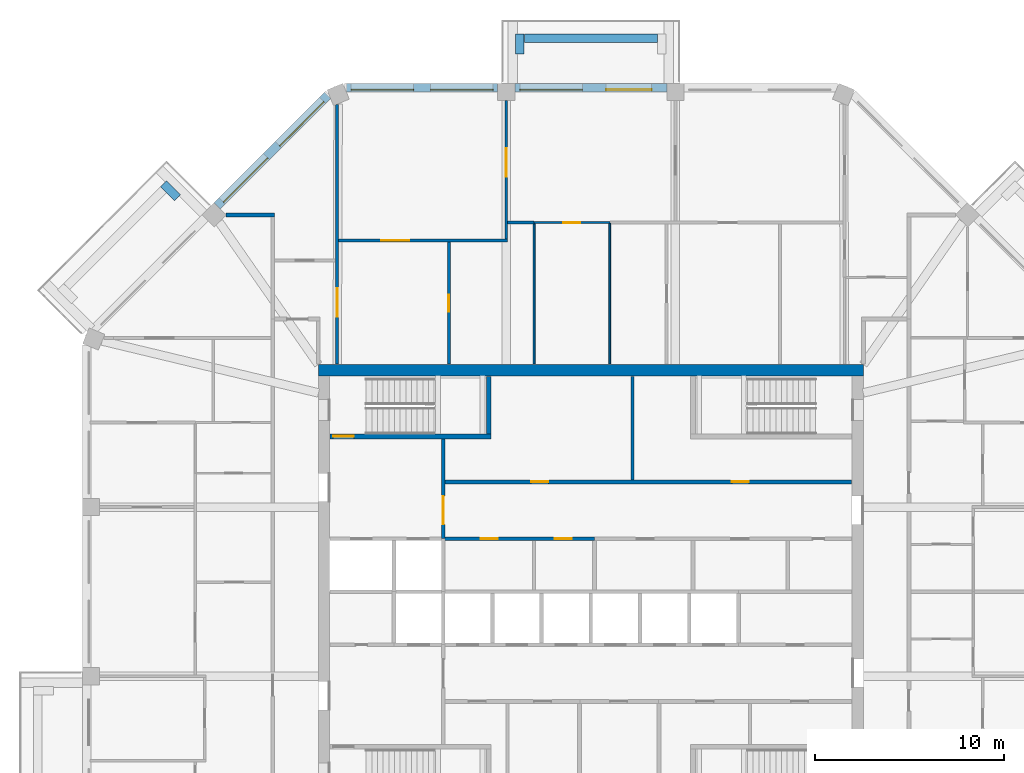
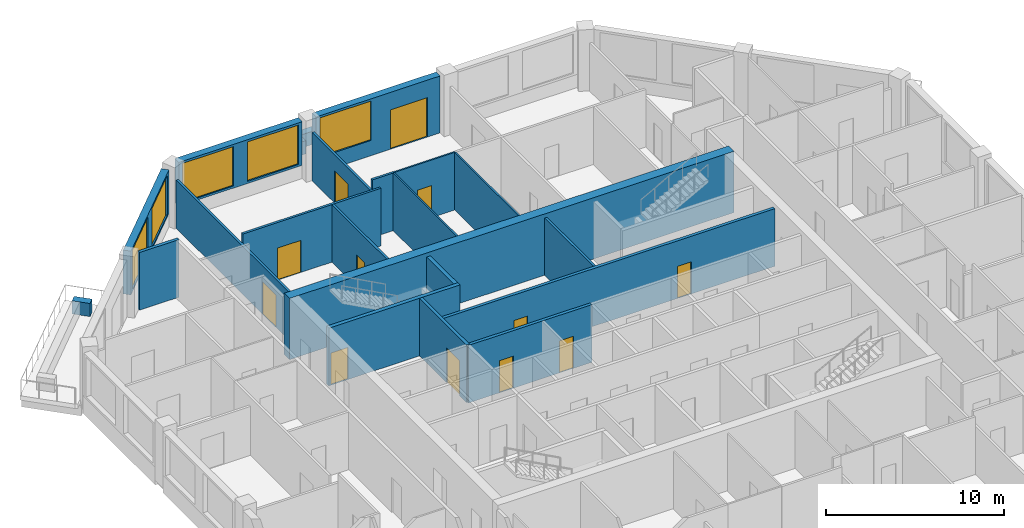
# One storey, part 8 of 11: 22 walls, 12 doors, 5 windows, 17 openings.
"""IFC4 building model written with IfcOpenShell, lengths in metres."""

from ifc_helpers import new_model, si_unit, direction, frame, frame_2d, origin, place, context, subcontext, project, spatial, rectangle, extrude, material, layer, layer_set, type_object, element, fill, save


model = new_model("IFC4")

# Units and contexts
model_context = context("Model", 3, precision=1e-05, world=origin(), true_north=direction((0.0, 1.0)))
body_context = subcontext(model_context, "Body", "Model", "MODEL_VIEW")
ifc_project = project(units=[si_unit("LENGTHUNIT", "METRE"), si_unit("AREAUNIT", "SQUARE_METRE"), si_unit("VOLUMEUNIT", "CUBIC_METRE"), si_unit("PLANEANGLEUNIT", "RADIAN"), si_unit("MASSUNIT", "GRAM", prefix="KILO")], contexts=[model_context])

# Site, building, storey
site_placement = place(None, origin())
site = spatial("IfcSite", under=ifc_project, at=site_placement, CompositionType="ELEMENT")
building_placement = place(site_placement, origin())
building = spatial("IfcBuilding", under=site, at=building_placement, Name="Msitu Wima Residences", CompositionType="ELEMENT")
storey_placement = place(building_placement, frame((0.0, 0.0, 264.300048828125)))
storey = spatial("IfcBuildingStorey", under=building, at=storey_placement, Name="L61", CompositionType="ELEMENT", Elevation=264.300048828125)

# Walls
ifc_material_1 = material(Name="Facing brick")
ifc_layer_1 = layer(ifc_material_1, 0.06494140625, Name="Facing brick")
ifc_material_2 = material(Name="Concrete C40/50", Category="concrete")
ifc_layer_2 = layer(ifc_material_2, 0.156005859375, Name="Concrete C40/50")
ifc_material_3 = material(Name="Waterproofing membrane")
ifc_layer_3 = layer(ifc_material_3, 0.00390625, Name="Waterproofing membrane")
ifc_material_4 = material(Name="Planting soil and planting")
ifc_layer_4 = layer(ifc_material_4, 0.22509765625, Name="Planting soil and planting")
ifc_layer_set_1 = layer_set([ifc_layer_1, ifc_layer_2, ifc_layer_3, ifc_layer_4], Name="Concrete C40/50")
wall_type_1 = type_object("IfcWallType", Name="Balcony planter PLANTER PL450", PredefinedType="USERDEFINED", material=ifc_layer_set_1)
wall_1_placement = place(storey_placement, frame((3.5185546875, 29.22509765625, 0.0), z_axis=(0.0, 0.0, 1.0), x_axis=(-1.0, 0.0, 0.0)))
element("IfcWall", 1, at=wall_1_placement, inside=storey, type_object=wall_type_1, Name="Balcony planter N1 L61", ObjectType="PLANTER", PredefinedType="USERDEFINED", context=body_context, shape_type="SweptSolid", body=[
    extrude(rectangle(XDim=7.037109375, YDim=0.449951171875, at=frame_2d((3.5185546875, 0.0))), origin(), (0.0, 0.0, 1.0), 0.89990234375),
])
for number, where, z_axis, x_axis, name in (
    (2, (-3.74365234375, 28.39990234375, 0.0), (0.0, 0.0, 1.0), (0.0, 1.0, 0.0), "Balcony planter N1 L61"),
    (3, (-21.829833984375, 20.804443359375, 0.0), (0.0, 0.0, 1.0), (-0.707106781187, 0.707106781187, 0.0), "Balcony planter NW1 L61"),
):
    element("IfcWall", number, at=place(storey_placement, frame(where, z_axis=z_axis, x_axis=x_axis)), inside=storey, type_object=wall_type_1, Name=name, ObjectType="PLANTER", PredefinedType="USERDEFINED", context=body_context, shape_type="SweptSolid", body=[
        extrude(rectangle(XDim=1.050048828125, YDim=0.449951171875, at=frame_2d((0.52490234375, 0.0))), origin(), (0.0, 0.0, 1.0), 0.89990234375),
    ])

# Wall, openings, door, window
ifc_material_5 = material(Name="Brick (red buff mix)", Category="masonry")
ifc_layer_5 = layer(ifc_material_5, 0.449951171875)
ifc_layer_set_2 = layer_set([ifc_layer_5], Name="Brick (red buff mix)")
wall_type_2 = type_object("IfcWallType", Name="Brick infill wall BW450", PredefinedType="SOLIDWALL", material=ifc_layer_set_2)
wall_2_placement = place(storey_placement, frame((4.0185546875, 26.625, 0.0), z_axis=(0.0, 0.0, 1.0), x_axis=(-1.0, 0.0, 0.0)))
wall_2 = element("IfcWall", 4, at=wall_2_placement, inside=storey, type_object=wall_type_2, Name="Brick infill wall L61 N1", PredefinedType="SOLIDWALL", context=body_context, shape_type="SweptSolid", body=[
    extrude(rectangle(XDim=8.037109375, YDim=0.449951171875, at=frame_2d((4.0185546875, 0.0))), origin(), (0.0, 0.0, 1.0), 3.89990234375),
])
opening_1_placement = place(wall_2_placement, frame((0.809326171875, 0.0, 0.0)))
opening_1 = element("IfcOpeningElement", 5, at=opening_1_placement, cuts=wall_2, Name="Opening D60-62.002", PredefinedType="OPENING", context=body_context, shape_type="SweptSolid", body=[
    extrude(rectangle(XDim=2.39990234375, YDim=2.699951171875, at=frame_2d((1.199951171875, 1.35009765625))), frame((0.0, 0.23486328125, 0.0), z_axis=(0.0, -1.0, 0.0), x_axis=(1.0, 0.0, 0.0)), (0.0, 0.0, 1.0), 0.469970703125),
])
opening_2_placement = place(wall_2_placement, frame((4.46875, 0.0, 1.050048828125)))
opening_2 = element("IfcOpeningElement", 6, at=opening_2_placement, cuts=wall_2, Name="Opening W60-62.008", PredefinedType="OPENING", context=body_context, shape_type="SweptSolid", body=[
    extrude(rectangle(XDim=3.300048828125, YDim=2.699951171875, at=frame_2d((1.64990234375, 1.35009765625))), frame((0.0, 0.23486328125, 0.0), z_axis=(0.0, -1.0, 0.0), x_axis=(1.0, 0.0, 0.0)), (0.0, 0.0, 1.0), 0.469970703125),
])
ifc_material_6 = material(Name="Anodised aluminium, bronze finish, clear low-emissivity double glazing", Category="aluminium")
door_type_1 = type_object("IfcDoorType", Name="Balcony door D2400x2700", OperationType="SLIDING_TO_LEFT", PredefinedType="DOOR", material=ifc_material_6)
door_1_placement = place(opening_1_placement, origin())
door_1 = element("IfcDoor", 7, at=door_1_placement, inside=storey, type_object=door_type_1, Name="Balcony door L61 N1", OperationType="SINGLE_SWING_LEFT", OverallHeight=2.699951171875, OverallWidth=2.39990234375, PredefinedType="DOOR", context=body_context, shape_type="SweptSolid", body=[
    extrude(rectangle(XDim=2.39990234375, YDim=2.699951171875, at=frame_2d((1.199951171875, 1.35009765625))), frame((0.0, 0.1298828125, 0.0), z_axis=(0.0, -1.0, 0.0), x_axis=(1.0, 0.0, 0.0)), (0.0, 0.0, 1.0), 0.050048828125),
])
fill(opening_1, door_1)
window_type = type_object("IfcWindowType", Name="Window W3300x2700", PartitioningType="DOUBLE_PANEL_VERTICAL", PredefinedType="WINDOW", material=ifc_material_6)
window_1_placement = place(opening_2_placement, origin())
window_1 = element("IfcWindow", 8, at=window_1_placement, inside=storey, type_object=window_type, Name="Window L61 N1.2", OverallHeight=2.699951171875, OverallWidth=3.300048828125, PartitioningType="SINGLE_PANEL", PredefinedType="WINDOW", context=body_context, shape_type="SweptSolid", body=[
    extrude(rectangle(XDim=3.300048828125, YDim=2.699951171875, at=frame_2d((1.64990234375, 1.35009765625))), frame((0.0, 0.135009765625, 0.0), z_axis=(0.0, -1.0, 0.0), x_axis=(1.0, 0.0, 0.0)), (0.0, 0.0, 1.0), 0.06005859375),
])
fill(opening_2, window_1)

# Wall, openings, windows
wall_3_placement = place(storey_placement, frame((-4.918701171875, 26.625, 0.89990234375), z_axis=(0.0, 0.0, 1.0), x_axis=(-1.0, 0.0, 0.0)))
wall_3 = element("IfcWall", 9, at=wall_3_placement, inside=storey, type_object=wall_type_2, Name="Brick infill wall L61 N2", PredefinedType="SOLIDWALL", context=body_context, shape_type="SweptSolid", body=[
    extrude(rectangle(XDim=8.0, YDim=0.449951171875, at=frame_2d((4.0, 0.0))), origin(), (0.0, 0.0, 1.0), 3.0),
])
opening_3_placement = place(wall_3_placement, frame((0.25, 0.0, 0.14990234375)))
opening_3 = element("IfcOpeningElement", 10, at=opening_3_placement, cuts=wall_3, Name="Opening W60-62.009", PredefinedType="OPENING", context=body_context, shape_type="SweptSolid", body=[
    extrude(rectangle(XDim=3.300048828125, YDim=2.699951171875, at=frame_2d((1.64990234375, 1.35009765625))), frame((0.0, 0.23486328125, 0.0), z_axis=(0.0, -1.0, 0.0), x_axis=(1.0, 0.0, 0.0)), (0.0, 0.0, 1.0), 0.469970703125),
])
opening_4_placement = place(wall_3_placement, frame((4.4501953125, 0.0, 0.14990234375)))
opening_4 = element("IfcOpeningElement", 11, at=opening_4_placement, cuts=wall_3, Name="Opening W60-62.010", PredefinedType="OPENING", context=body_context, shape_type="SweptSolid", body=[
    extrude(rectangle(XDim=3.300048828125, YDim=2.699951171875, at=frame_2d((1.64990234375, 1.35009765625))), frame((0.0, 0.23486328125, 0.0), z_axis=(0.0, -1.0, 0.0), x_axis=(1.0, 0.0, 0.0)), (0.0, 0.0, 1.0), 0.469970703125),
])
window_2_placement = place(opening_3_placement, origin())
window_2 = element("IfcWindow", 12, at=window_2_placement, inside=storey, type_object=window_type, Name="Window L61 N2.1", OverallHeight=2.699951171875, OverallWidth=3.300048828125, PartitioningType="SINGLE_PANEL", PredefinedType="WINDOW", context=body_context, shape_type="SweptSolid", body=[
    extrude(rectangle(XDim=3.300048828125, YDim=2.699951171875, at=frame_2d((1.64990234375, 1.35009765625))), frame((0.0, 0.135009765625, 0.0), z_axis=(0.0, -1.0, 0.0), x_axis=(1.0, 0.0, 0.0)), (0.0, 0.0, 1.0), 0.06005859375),
])
fill(opening_3, window_2)
window_3_placement = place(opening_4_placement, origin())
window_3 = element("IfcWindow", 13, at=window_3_placement, inside=storey, type_object=window_type, Name="Window L61 N2.2", OverallHeight=2.699951171875, OverallWidth=3.300048828125, PartitioningType="SINGLE_PANEL", PredefinedType="WINDOW", context=body_context, shape_type="SweptSolid", body=[
    extrude(rectangle(XDim=3.300048828125, YDim=2.699951171875, at=frame_2d((1.64990234375, 1.35009765625))), frame((0.0, 0.135009765625, 0.0), z_axis=(0.0, -1.0, 0.0), x_axis=(1.0, 0.0, 0.0)), (0.0, 0.0, 1.0), 0.06005859375),
])
fill(opening_4, window_3)

wall_4_placement = place(storey_placement, frame((-13.909423828125, 26.214599609375, 0.89990234375), z_axis=(0.0, 0.0, 1.0), x_axis=(-0.707106781187, -0.707106781187, 0.0)))
wall_4 = element("IfcWall", 14, at=wall_4_placement, inside=storey, type_object=wall_type_2, Name="Brick infill wall L61 NW0", PredefinedType="SOLIDWALL", context=body_context, shape_type="SweptSolid", body=[
    extrude(rectangle(XDim=8.251220703125, YDim=0.449951171875, at=frame_2d((4.12548828125, 0.0))), origin(), (0.0, 0.0, 1.0), 3.0),
])
opening_5_placement = place(wall_4_placement, frame((0.37548828125, 0.0, 0.14990234375)))
opening_5 = element("IfcOpeningElement", 15, at=opening_5_placement, cuts=wall_4, Name="Opening W60-62.014", PredefinedType="OPENING", context=body_context, shape_type="SweptSolid", body=[
    extrude(rectangle(XDim=3.300048828125, YDim=2.699951171875, at=frame_2d((1.64990234375, 1.35009765625))), frame((0.0, 0.23486328125, 0.0), z_axis=(0.0, -1.0, 0.0), x_axis=(1.0, 0.0, 0.0)), (0.0, 0.0, 1.0), 0.469970703125),
])
opening_6_placement = place(wall_4_placement, frame((4.57568359375, 0.0, 0.14990234375)))
opening_6 = element("IfcOpeningElement", 16, at=opening_6_placement, cuts=wall_4, Name="Opening W60-62.015", PredefinedType="OPENING", context=body_context, shape_type="SweptSolid", body=[
    extrude(rectangle(XDim=3.300048828125, YDim=2.699951171875, at=frame_2d((1.64990234375, 1.35009765625))), frame((0.0, 0.23486328125, 0.0), z_axis=(0.0, -1.0, 0.0), x_axis=(1.0, 0.0, 0.0)), (0.0, 0.0, 1.0), 0.469970703125),
])
window_4_placement = place(opening_5_placement, origin())
window_4 = element("IfcWindow", 17, at=window_4_placement, inside=storey, type_object=window_type, Name="Window L61 NW0.1", OverallHeight=2.699951171875, OverallWidth=3.300048828125, PartitioningType="SINGLE_PANEL", PredefinedType="WINDOW", context=body_context, shape_type="SweptSolid", body=[
    extrude(rectangle(XDim=3.300048828125, YDim=2.699951171875, at=frame_2d((1.64990234375, 1.35009765625))), frame((0.0, 0.135009765625, 0.0), z_axis=(0.0, -1.0, 0.0), x_axis=(1.0, 0.0, 0.0)), (0.0, 0.0, 1.0), 0.06005859375),
])
fill(opening_5, window_4)
window_5_placement = place(opening_6_placement, origin())
window_5 = element("IfcWindow", 18, at=window_5_placement, inside=storey, type_object=window_type, Name="Window L61 NW0.2", OverallHeight=2.699951171875, OverallWidth=3.300048828125, PartitioningType="SINGLE_PANEL", PredefinedType="WINDOW", context=body_context, shape_type="SweptSolid", body=[
    extrude(rectangle(XDim=3.300048828125, YDim=2.699951171875, at=frame_2d((1.64990234375, 1.35009765625))), frame((0.0, 0.135009765625, 0.0), z_axis=(0.0, -1.0, 0.0), x_axis=(1.0, 0.0, 0.0)), (0.0, 0.0, 1.0), 0.06005859375),
])
fill(opening_6, window_5)

# Wall
ifc_material_7 = material(Name="Concrete C50/60", Category="concrete")
ifc_layer_6 = layer(ifc_material_7, 0.60009765625)
ifc_layer_set_3 = layer_set([ifc_layer_6], Name="Concrete C50/60")
wall_type_3 = type_object("IfcWallType", Name="Core wall CW600 C50/60", PredefinedType="SHEAR", material=ifc_layer_set_3)
wall_5_placement = place(storey_placement, frame((-14.39990234375, 11.699951171875, 0.0), z_axis=(0.0, 0.0, 1.0), x_axis=(1.0, 0.0, 0.0)))
element("IfcWall", 19, at=wall_5_placement, inside=storey, type_object=wall_type_3, Name="Core wall", PredefinedType="SHEAR", context=body_context, shape_type="SweptSolid", body=[
    extrude(rectangle(XDim=28.7998046875, YDim=0.60009765625, at=frame_2d((14.39990234375, 0.0))), origin(), (0.0, 0.0, 1.0), 4.199951171875),
])

# Wall, openings, doors
ifc_material_8 = material(Name="Plaster")
ifc_layer_7 = layer(ifc_material_8, 0.011962890625, Name="Plaster")
ifc_material_9 = material(Name="Concrete blockwork", Category="masonry")
ifc_layer_8 = layer(ifc_material_9, 0.176025390625, Name="Concrete blockwork")
ifc_layer_9 = layer(ifc_material_8, 0.011962890625, Name="Plaster")
ifc_layer_set_4 = layer_set([ifc_layer_7, ifc_layer_8, ifc_layer_9], Name="Concrete blockwork")
wall_type_4 = type_object("IfcWallType", Name="Corridor wall FW200", PredefinedType="PARTITIONING", material=ifc_layer_set_4)
wall_6_placement = place(storey_placement, frame((-7.820068359375, 2.800048828125, 0.0), z_axis=(0.0, 0.0, 1.0), x_axis=(1.0, 0.0, 0.0)))
wall_6 = element("IfcWall", 20, at=wall_6_placement, inside=storey, type_object=wall_type_4, Name="Corridor wall", PredefinedType="PARTITIONING", context=body_context, shape_type="SweptSolid", body=[
    extrude(rectangle(XDim=8.0, YDim=0.199951171875, at=frame_2d((4.0, 0.0))), origin(), (0.0, 0.0, 1.0), 3.949951171875),
])
opening_7_placement = place(wall_6_placement, frame((2.0, 0.0, 0.0)))
opening_7 = element("IfcOpeningElement", 21, at=opening_7_placement, cuts=wall_6, Name="Opening D60-62.079", PredefinedType="OPENING", context=body_context, shape_type="SweptSolid", body=[
    extrude(rectangle(XDim=0.89990234375, YDim=2.199951171875, at=frame_2d((0.449951171875, 1.10009765625))), frame((0.0, 0.10986328125, 0.0), z_axis=(0.0, -1.0, 0.0), x_axis=(1.0, 0.0, 0.0)), (0.0, 0.0, 1.0), 0.219970703125),
])
opening_8_placement = place(wall_6_placement, frame((5.89990234375, 0.0, 0.0)))
opening_8 = element("IfcOpeningElement", 22, at=opening_8_placement, cuts=wall_6, Name="Opening D60-62.080", PredefinedType="OPENING", context=body_context, shape_type="SweptSolid", body=[
    extrude(rectangle(XDim=0.89990234375, YDim=2.199951171875, at=frame_2d((0.449951171875, 1.10009765625))), frame((0.0, 0.10986328125, 0.0), z_axis=(0.0, -1.0, 0.0), x_axis=(1.0, 0.0, 0.0)), (0.0, 0.0, 1.0), 0.219970703125),
])
ifc_material_10 = material(Name="Timber flush door", Category="wood")
door_type_2 = type_object("IfcDoorType", Name="Service door D05 900x2200", OperationType="SINGLE_SWING_LEFT", PredefinedType="DOOR", material=ifc_material_10)
door_2_placement = place(opening_7_placement, origin())
door_2 = element("IfcDoor", 23, at=door_2_placement, inside=storey, type_object=door_type_2, Name="Service door", OperationType="SINGLE_SWING_LEFT", OverallHeight=2.199951171875, OverallWidth=0.89990234375, PredefinedType="DOOR", context=body_context, shape_type="SweptSolid", body=[
    extrude(rectangle(XDim=0.89990234375, YDim=2.199951171875, at=frame_2d((0.449951171875, 1.10009765625))), frame((0.0, 0.02490234375, 0.0), z_axis=(0.0, -1.0, 0.0), x_axis=(1.0, 0.0, 0.0)), (0.0, 0.0, 1.0), 0.050048828125),
])
fill(opening_7, door_2)
door_3_placement = place(opening_8_placement, origin())
door_3 = element("IfcDoor", 24, at=door_3_placement, inside=storey, type_object=door_type_2, Name="Service door", OperationType="SINGLE_SWING_RIGHT", OverallHeight=2.199951171875, OverallWidth=0.89990234375, PredefinedType="DOOR", context=body_context, shape_type="SweptSolid", body=[
    extrude(rectangle(XDim=0.89990234375, YDim=2.199951171875, at=frame_2d((0.449951171875, 1.10009765625))), frame((0.0, 0.02490234375, 0.0), z_axis=(0.0, -1.0, 0.0), x_axis=(1.0, 0.0, 0.0)), (0.0, 0.0, 1.0), 0.050048828125),
])
fill(opening_8, door_3)

# Wall, opening, door
wall_7_placement = place(storey_placement, frame((-7.800048828125, 2.800048828125, 0.0), z_axis=(0.0, 0.0, 1.0), x_axis=(0.0, 1.0, 0.0)))
wall_7 = element("IfcWall", 25, at=wall_7_placement, inside=storey, type_object=wall_type_4, Name="Corridor wall", PredefinedType="PARTITIONING", context=body_context, shape_type="SweptSolid", body=[
    extrude(rectangle(XDim=5.27490234375, YDim=0.199951171875, at=frame_2d((2.637451171875, 0.0))), origin(), (0.0, 0.0, 1.0), 3.949951171875),
])
opening_9_placement = place(wall_7_placement, frame((0.75, 0.0, 0.0)))
opening_9 = element("IfcOpeningElement", 26, at=opening_9_placement, cuts=wall_7, Name="Opening D60-62.067", PredefinedType="OPENING", context=body_context, shape_type="SweptSolid", body=[
    extrude(rectangle(XDim=1.5, YDim=2.39990234375, at=frame_2d((0.75, 1.199951171875))), frame((0.0, 0.10986328125, 0.0), z_axis=(0.0, -1.0, 0.0), x_axis=(1.0, 0.0, 0.0)), (0.0, 0.0, 1.0), 0.219970703125),
])
ifc_material_11 = material(Name="Steel framed glazed door, fire resisting", Category="steel")
door_type_3 = type_object("IfcDoorType", Name="Lobby door D07 1500x2400", OperationType="DOUBLE_DOOR_SINGLE_SWING", PredefinedType="DOOR", material=ifc_material_11)
door_4_placement = place(opening_9_placement, origin())
door_4 = element("IfcDoor", 27, at=door_4_placement, inside=storey, type_object=door_type_3, Name="Lobby door", OperationType="DOUBLE_DOOR_SINGLE_SWING", OverallHeight=2.39990234375, OverallWidth=1.5, PredefinedType="DOOR", context=body_context, shape_type="SweptSolid", body=[
    extrude(rectangle(XDim=1.5, YDim=2.39990234375, at=frame_2d((0.75, 1.199951171875))), frame((0.0, 0.02490234375, 0.0), z_axis=(0.0, -1.0, 0.0), x_axis=(1.0, 0.0, 0.0)), (0.0, 0.0, 1.0), 0.050048828125),
])
fill(opening_9, door_4)

# Wall, openings, doors
wall_8_placement = place(storey_placement, frame((-7.699951171875, 5.800048828125, 0.0), z_axis=(0.0, 0.0, 1.0), x_axis=(1.0, 0.0, 0.0)))
wall_8 = element("IfcWall", 28, at=wall_8_placement, inside=storey, type_object=wall_type_4, Name="Corridor wall", PredefinedType="PARTITIONING", context=body_context, shape_type="SweptSolid", body=[
    extrude(rectangle(XDim=21.469970703125, YDim=0.199951171875, at=frame_2d((10.73486328125, 0.0))), origin(), (0.0, 0.0, 1.0), 3.949951171875),
])
opening_10_placement = place(wall_8_placement, frame((4.550048828125, 0.0, 0.0)))
opening_10 = element("IfcOpeningElement", 29, at=opening_10_placement, cuts=wall_8, Name="Opening D60-62.070", PredefinedType="OPENING", context=body_context, shape_type="SweptSolid", body=[
    extrude(rectangle(XDim=0.89990234375, YDim=2.199951171875, at=frame_2d((0.449951171875, 1.10009765625))), frame((0.0, 0.10986328125, 0.0), z_axis=(0.0, -1.0, 0.0), x_axis=(1.0, 0.0, 0.0)), (0.0, 0.0, 1.0), 0.219970703125),
])
opening_11_placement = place(wall_8_placement, frame((15.14990234375, 0.0, 0.0)))
opening_11 = element("IfcOpeningElement", 30, at=opening_11_placement, cuts=wall_8, Name="Opening D60-62.071", PredefinedType="OPENING", context=body_context, shape_type="SweptSolid", body=[
    extrude(rectangle(XDim=0.89990234375, YDim=2.199951171875, at=frame_2d((0.449951171875, 1.10009765625))), frame((0.0, 0.10986328125, 0.0), z_axis=(0.0, -1.0, 0.0), x_axis=(1.0, 0.0, 0.0)), (0.0, 0.0, 1.0), 0.219970703125),
])
door_5_placement = place(opening_10_placement, origin())
door_5 = element("IfcDoor", 31, at=door_5_placement, inside=storey, type_object=door_type_2, Name="Service door", OperationType="SINGLE_SWING_LEFT", OverallHeight=2.199951171875, OverallWidth=0.89990234375, PredefinedType="DOOR", context=body_context, shape_type="SweptSolid", body=[
    extrude(rectangle(XDim=0.89990234375, YDim=2.199951171875, at=frame_2d((0.449951171875, 1.10009765625))), frame((0.0, 0.02490234375, 0.0), z_axis=(0.0, -1.0, 0.0), x_axis=(1.0, 0.0, 0.0)), (0.0, 0.0, 1.0), 0.050048828125),
])
fill(opening_10, door_5)
door_6_placement = place(opening_11_placement, origin())
door_6 = element("IfcDoor", 32, at=door_6_placement, inside=storey, type_object=door_type_2, Name="Service door", OperationType="SINGLE_SWING_RIGHT", OverallHeight=2.199951171875, OverallWidth=0.89990234375, PredefinedType="DOOR", context=body_context, shape_type="SweptSolid", body=[
    extrude(rectangle(XDim=0.89990234375, YDim=2.199951171875, at=frame_2d((0.449951171875, 1.10009765625))), frame((0.0, 0.02490234375, 0.0), z_axis=(0.0, -1.0, 0.0), x_axis=(1.0, 0.0, 0.0)), (0.0, 0.0, 1.0), 0.050048828125),
])
fill(opening_11, door_6)

# Wall, opening, door
ifc_layer_10 = layer(ifc_material_8, 0.011962890625, Name="Plaster")
ifc_layer_11 = layer(ifc_material_9, 0.1259765625, Name="Concrete blockwork")
ifc_layer_12 = layer(ifc_material_8, 0.011962890625, Name="Plaster")
ifc_layer_set_5 = layer_set([ifc_layer_10, ifc_layer_11, ifc_layer_12], Name="Concrete blockwork")
wall_type_5 = type_object("IfcWallType", Name="Partition PW150", PredefinedType="PARTITIONING", material=ifc_layer_set_5)
wall_9_placement = place(storey_placement, frame((-13.406005859375, 12.030029296875, 0.0), z_axis=(0.0, 0.0, 1.0), x_axis=(0.0, 1.0, 0.0)))
wall_9 = element("IfcWall", 33, at=wall_9_placement, inside=storey, type_object=wall_type_5, Name="Partition", PredefinedType="PARTITIONING", context=body_context, shape_type="SweptSolid", body=[
    extrude(rectangle(XDim=13.701171875, YDim=0.14990234375, at=frame_2d((6.8505859375, 0.0))), origin(), (0.0, 0.0, 1.0), 3.300048828125),
])
opening_12_placement = place(wall_9_placement, frame((2.5, 0.0, 0.0)))
opening_12 = element("IfcOpeningElement", 34, at=opening_12_placement, cuts=wall_9, Name="Opening D60-62.027", PredefinedType="OPENING", context=body_context, shape_type="SweptSolid", body=[
    extrude(rectangle(XDim=1.5, YDim=2.199951171875, at=frame_2d((0.75, 1.10009765625))), frame((0.0, 0.0849609375, 0.0), z_axis=(0.0, -1.0, 0.0), x_axis=(1.0, 0.0, 0.0)), (0.0, 0.0, 1.0), 0.169921875),
])
ifc_material_12 = material(Name="Timber double door", Category="wood")
door_type_4 = type_object("IfcDoorType", Name="Double door D04 1500x2200", OperationType="DOUBLE_DOOR_SINGLE_SWING", PredefinedType="DOOR", material=ifc_material_12)
door_7_placement = place(opening_12_placement, origin())
door_7 = element("IfcDoor", 35, at=door_7_placement, inside=storey, type_object=door_type_4, Name="Double door", OperationType="DOUBLE_DOOR_SINGLE_SWING", OverallHeight=2.199951171875, OverallWidth=1.5, PredefinedType="DOOR", context=body_context, shape_type="SweptSolid", body=[
    extrude(rectangle(XDim=1.5, YDim=2.199951171875, at=frame_2d((0.75, 1.10009765625))), frame((0.0, 0.02490234375, 0.0), z_axis=(0.0, -1.0, 0.0), x_axis=(1.0, 0.0, 0.0)), (0.0, 0.0, 1.0), 0.050048828125),
])
fill(opening_12, door_7)

wall_10_placement = place(storey_placement, frame((-13.330810546875, 18.550048828125, 0.0), z_axis=(0.0, 0.0, 1.0), x_axis=(1.0, 0.0, 0.0)))
wall_10 = element("IfcWall", 36, at=wall_10_placement, inside=storey, type_object=wall_type_5, Name="Partition", PredefinedType="PARTITIONING", context=body_context, shape_type="SweptSolid", body=[
    extrude(rectangle(XDim=8.937255859375, YDim=0.14990234375, at=frame_2d((4.46875, 0.0))), origin(), (0.0, 0.0, 1.0), 3.949951171875),
])
opening_13_placement = place(wall_10_placement, frame((2.25, 0.0, 0.0)))
opening_13 = element("IfcOpeningElement", 37, at=opening_13_placement, cuts=wall_10, Name="Opening D60-62.031", PredefinedType="OPENING", context=body_context, shape_type="SweptSolid", body=[
    extrude(rectangle(XDim=1.5, YDim=2.199951171875, at=frame_2d((0.75, 1.10009765625))), frame((0.0, 0.0849609375, 0.0), z_axis=(0.0, -1.0, 0.0), x_axis=(1.0, 0.0, 0.0)), (0.0, 0.0, 1.0), 0.169921875),
])
door_8_placement = place(opening_13_placement, origin())
door_8 = element("IfcDoor", 38, at=door_8_placement, inside=storey, type_object=door_type_4, Name="Double door", OperationType="DOUBLE_DOOR_SINGLE_SWING", OverallHeight=2.199951171875, OverallWidth=1.5, PredefinedType="DOOR", context=body_context, shape_type="SweptSolid", body=[
    extrude(rectangle(XDim=1.5, YDim=2.199951171875, at=frame_2d((0.75, 1.10009765625))), frame((0.0, 0.02490234375, 0.0), z_axis=(0.0, -1.0, 0.0), x_axis=(1.0, 0.0, 0.0)), (0.0, 0.0, 1.0), 0.050048828125),
])
fill(opening_13, door_8)

wall_11_placement = place(storey_placement, frame((-7.5, 12.030029296875, 0.0), z_axis=(0.0, 0.0, 1.0), x_axis=(0.0, 1.0, 0.0)))
wall_11 = element("IfcWall", 39, at=wall_11_placement, inside=storey, type_object=wall_type_5, Name="Partition", PredefinedType="PARTITIONING", context=body_context, shape_type="SweptSolid", body=[
    extrude(rectangle(XDim=6.445068359375, YDim=0.14990234375, at=frame_2d((3.22265625, 0.0))), origin(), (0.0, 0.0, 1.0), 3.949951171875),
])
opening_14_placement = place(wall_11_placement, frame((2.75, 0.0, 0.0)))
opening_14 = element("IfcOpeningElement", 40, at=opening_14_placement, cuts=wall_11, Name="Opening D60-62.033", PredefinedType="OPENING", context=body_context, shape_type="SweptSolid", body=[
    extrude(rectangle(XDim=0.89990234375, YDim=2.199951171875, at=frame_2d((0.449951171875, 1.10009765625))), frame((0.0, 0.0849609375, 0.0), z_axis=(0.0, -1.0, 0.0), x_axis=(1.0, 0.0, 0.0)), (0.0, 0.0, 1.0), 0.169921875),
])
door_9_placement = place(opening_14_placement, origin())
door_9 = element("IfcDoor", 41, at=door_9_placement, inside=storey, type_object=door_type_2, Name="Service door", OperationType="SINGLE_SWING_RIGHT", OverallHeight=2.199951171875, OverallWidth=0.89990234375, PredefinedType="DOOR", context=body_context, shape_type="SweptSolid", body=[
    extrude(rectangle(XDim=0.89990234375, YDim=2.199951171875, at=frame_2d((0.449951171875, 1.10009765625))), frame((0.0, 0.02490234375, 0.0), z_axis=(0.0, -1.0, 0.0), x_axis=(1.0, 0.0, 0.0)), (0.0, 0.0, 1.0), 0.050048828125),
])
fill(opening_14, door_9)

wall_12_placement = place(storey_placement, frame((-4.46875, 18.625, 0.0), z_axis=(0.0, 0.0, 1.0), x_axis=(0.0, 1.0, 0.0)))
wall_12 = element("IfcWall", 42, at=wall_12_placement, inside=storey, type_object=wall_type_5, Name="Partition", PredefinedType="PARTITIONING", context=body_context, shape_type="SweptSolid", body=[
    extrude(rectangle(XDim=7.324951171875, YDim=0.14990234375, at=frame_2d((3.66259765625, 0.0))), origin(), (0.0, 0.0, 1.0), 3.300048828125),
])
opening_15_placement = place(wall_12_placement, frame((3.300048828125, 0.0, 0.0)))
opening_15 = element("IfcOpeningElement", 43, at=opening_15_placement, cuts=wall_12, Name="Opening D60-62.034", PredefinedType="OPENING", context=body_context, shape_type="SweptSolid", body=[
    extrude(rectangle(XDim=1.5, YDim=2.199951171875, at=frame_2d((0.75, 1.10009765625))), frame((0.0, 0.0849609375, 0.0), z_axis=(0.0, -1.0, 0.0), x_axis=(1.0, 0.0, 0.0)), (0.0, 0.0, 1.0), 0.169921875),
])
door_10_placement = place(opening_15_placement, origin())
door_10 = element("IfcDoor", 44, at=door_10_placement, inside=storey, type_object=door_type_4, Name="Double door", OperationType="DOUBLE_DOOR_SINGLE_SWING", OverallHeight=2.199951171875, OverallWidth=1.5, PredefinedType="DOOR", context=body_context, shape_type="SweptSolid", body=[
    extrude(rectangle(XDim=1.5, YDim=2.199951171875, at=frame_2d((0.75, 1.10009765625))), frame((0.0, 0.02490234375, 0.0), z_axis=(0.0, -1.0, 0.0), x_axis=(1.0, 0.0, 0.0)), (0.0, 0.0, 1.0), 0.050048828125),
])
fill(opening_15, door_10)

# Walls
wall_13_placement = place(storey_placement, frame((-4.3935546875, 19.5, 0.0), z_axis=(0.0, 0.0, 1.0), x_axis=(1.0, 0.0, 0.0)))
element("IfcWall", 45, at=wall_13_placement, inside=storey, type_object=wall_type_5, Name="Partition", PredefinedType="PARTITIONING", context=body_context, shape_type="SweptSolid", body=[
    extrude(rectangle(XDim=1.3935546875, YDim=0.14990234375, at=frame_2d((0.69677734375, 0.0))), origin(), (0.0, 0.0, 1.0), 3.949951171875),
])
wall_14_placement = place(storey_placement, frame((2.199951171875, 5.89990234375, 0.0), z_axis=(0.0, 0.0, 1.0), x_axis=(0.0, 1.0, 0.0)))
element("IfcWall", 46, at=wall_14_placement, inside=storey, type_object=wall_type_5, Name="Partition", PredefinedType="PARTITIONING", context=body_context, shape_type="SweptSolid", body=[
    extrude(rectangle(XDim=5.47021484375, YDim=0.14990234375, at=frame_2d((2.735107421875, 0.0))), origin(), (0.0, 0.0, 1.0), 3.949951171875),
])
ifc_layer_13 = layer(ifc_material_8, 0.011962890625, Name="Plaster")
ifc_material_13 = material(Name="Dense concrete blockwork", Category="masonry")
ifc_layer_14 = layer(ifc_material_13, 0.176025390625, Name="Dense concrete blockwork")
ifc_layer_15 = layer(ifc_material_8, 0.011962890625, Name="Plaster")
ifc_layer_set_6 = layer_set([ifc_layer_13, ifc_layer_14, ifc_layer_15], Name="Dense concrete blockwork")
wall_type_6 = type_object("IfcWallType", Name="Party wall PW200", PredefinedType="PARTITIONING", material=ifc_layer_set_6)
wall_15_placement = place(storey_placement, frame((-19.2666015625, 19.90283203125, 0.0), z_axis=(0.0, 0.0, 1.0), x_axis=(1.0, 0.0, 0.0)))
element("IfcWall", 47, at=wall_15_placement, inside=storey, type_object=wall_type_6, Name="Party wall", PredefinedType="PARTITIONING", context=body_context, shape_type="SweptSolid", body=[
    extrude(rectangle(XDim=2.566650390625, YDim=0.199951171875, at=frame_2d((1.283203125, 0.0))), origin(), (0.0, 0.0, 1.0), 3.949951171875),
])

# Wall, opening, door
ifc_layer_16 = layer(ifc_material_7, 0.25)
ifc_layer_set_7 = layer_set([ifc_layer_16], Name="Concrete C50/60")
wall_type_7 = type_object("IfcWallType", Name="Stair enclosure wall SW250", PredefinedType="SHEAR", material=ifc_layer_set_7)
wall_16_placement = place(storey_placement, frame((-13.77001953125, 8.199951171875, 0.0), z_axis=(0.0, 0.0, 1.0), x_axis=(1.0, 0.0, 0.0)))
wall_16 = element("IfcWall", 48, at=wall_16_placement, inside=storey, type_object=wall_type_7, Name="Stair enclosure wall", PredefinedType="SHEAR", context=body_context, shape_type="SweptSolid", body=[
    extrude(rectangle(XDim=8.4951171875, YDim=0.25, at=frame_2d((4.24755859375, 0.0))), origin(), (0.0, 0.0, 1.0), 3.949951171875),
])
opening_16_placement = place(wall_16_placement, frame((0.14990234375, 0.0, 0.0)))
opening_16 = element("IfcOpeningElement", 49, at=opening_16_placement, cuts=wall_16, Name="Opening D60-62.086", PredefinedType="OPENING", context=body_context, shape_type="SweptSolid", body=[
    extrude(rectangle(XDim=1.10009765625, YDim=2.199951171875, at=frame_2d((0.550048828125, 1.10009765625))), frame((0.0, 0.135009765625, 0.0), z_axis=(0.0, -1.0, 0.0), x_axis=(1.0, 0.0, 0.0)), (0.0, 0.0, 1.0), 0.27001953125),
])
ifc_material_14 = material(Name="Steel door, fire resisting, panic bar", Category="steel")
door_type_5 = type_object("IfcDoorType", Name="Stair door D06 1100x2200", OperationType="SINGLE_SWING_LEFT", PredefinedType="DOOR", material=ifc_material_14)
door_11_placement = place(opening_16_placement, origin())
door_11 = element("IfcDoor", 50, at=door_11_placement, inside=storey, type_object=door_type_5, Name="Stair door", OperationType="SINGLE_SWING_LEFT", OverallHeight=2.199951171875, OverallWidth=1.10009765625, PredefinedType="DOOR", context=body_context, shape_type="SweptSolid", body=[
    extrude(rectangle(XDim=1.10009765625, YDim=2.199951171875, at=frame_2d((0.550048828125, 1.10009765625))), frame((0.0, 0.02490234375, 0.0), z_axis=(0.0, -1.0, 0.0), x_axis=(1.0, 0.0, 0.0)), (0.0, 0.0, 1.0), 0.050048828125),
])
fill(opening_16, door_11)

# Walls
wall_17_placement = place(storey_placement, frame((-5.39990234375, 8.324951171875, 0.0), z_axis=(0.0, 0.0, 1.0), x_axis=(0.0, 1.0, 0.0)))
element("IfcWall", 51, at=wall_17_placement, inside=storey, type_object=wall_type_7, Name="Stair enclosure wall", PredefinedType="SHEAR", context=body_context, shape_type="SweptSolid", body=[
    extrude(rectangle(XDim=3.045166015625, YDim=0.25, at=frame_2d((1.5224609375, 0.0))), origin(), (0.0, 0.0, 1.0), 3.949951171875),
])
ifc_material_15 = material(Name="Ceramic tiles")
ifc_layer_17 = layer(ifc_material_15, 0.008056640625, Name="Ceramic tiles")
ifc_material_16 = material(Name="Moisture-resistant board")
ifc_layer_18 = layer(ifc_material_16, 0.012451171875, Name="Moisture-resistant board")
ifc_material_17 = material(Name="Light-gauge stud framing with mineral wool")
ifc_layer_19 = layer(ifc_material_17, 0.06689453125, Name="Light-gauge stud framing with mineral wool")
ifc_layer_20 = layer(ifc_material_16, 0.012451171875, Name="Moisture-resistant board")
ifc_layer_set_8 = layer_set([ifc_layer_17, ifc_layer_18, ifc_layer_19, ifc_layer_20], Name="Light-gauge stud framing with mineral wool")
wall_type_8 = type_object("IfcWallType", Name="Wet wall PW100", PredefinedType="PARTITIONING", material=ifc_layer_set_8)
wall_18_placement = place(storey_placement, frame((-3.0, 12.030029296875, 0.0), z_axis=(0.0, 0.0, 1.0), x_axis=(0.0, 1.0, 0.0)))
element("IfcWall", 52, at=wall_18_placement, inside=storey, type_object=wall_type_8, Name="Wet wall", PredefinedType="PARTITIONING", context=body_context, shape_type="SweptSolid", body=[
    extrude(rectangle(XDim=7.39501953125, YDim=0.10009765625, at=frame_2d((3.697509765625, 0.0))), origin(), (0.0, 0.0, 1.0), 3.949951171875),
])

# Wall, opening, door
wall_19_placement = place(storey_placement, frame((-3.0, 19.5, 0.0), z_axis=(0.0, 0.0, 1.0), x_axis=(1.0, 0.0, 0.0)))
wall_19 = element("IfcWall", 53, at=wall_19_placement, inside=storey, type_object=wall_type_8, Name="Wet wall", PredefinedType="PARTITIONING", context=body_context, shape_type="SweptSolid", body=[
    extrude(rectangle(XDim=4.0, YDim=0.10009765625, at=frame_2d((2.0, 0.0))), origin(), (0.0, 0.0, 1.0), 3.949951171875),
])
opening_17_placement = place(wall_19_placement, frame((1.550048828125, 0.0, 0.0)))
opening_17 = element("IfcOpeningElement", 54, at=opening_17_placement, cuts=wall_19, Name="Opening D60-62.035", PredefinedType="OPENING", context=body_context, shape_type="SweptSolid", body=[
    extrude(rectangle(XDim=0.89990234375, YDim=2.199951171875, at=frame_2d((0.449951171875, 1.10009765625))), frame((0.0, 0.06005859375, 0.0), z_axis=(0.0, -1.0, 0.0), x_axis=(1.0, 0.0, 0.0)), (0.0, 0.0, 1.0), 0.1201171875),
])
ifc_material_18 = material(Name="Timber flush door, moisture resistant", Category="wood")
door_type_6 = type_object("IfcDoorType", Name="Bathroom door D03 900x2200", OperationType="SINGLE_SWING_LEFT", PredefinedType="DOOR", material=ifc_material_18)
door_12_placement = place(opening_17_placement, origin())
door_12 = element("IfcDoor", 55, at=door_12_placement, inside=storey, type_object=door_type_6, Name="Bathroom door", OperationType="SINGLE_SWING_RIGHT", OverallHeight=2.199951171875, OverallWidth=0.89990234375, PredefinedType="DOOR", context=body_context, shape_type="SweptSolid", body=[
    extrude(rectangle(XDim=0.89990234375, YDim=2.199951171875, at=frame_2d((0.449951171875, 1.10009765625))), frame((0.0, 0.02490234375, 0.0), z_axis=(0.0, -1.0, 0.0), x_axis=(1.0, 0.0, 0.0)), (0.0, 0.0, 1.0), 0.050048828125),
])
fill(opening_17, door_12)

# Wall
wall_20_placement = place(storey_placement, frame((1.0, 12.030029296875, 0.0), z_axis=(0.0, 0.0, 1.0), x_axis=(0.0, 1.0, 0.0)))
element("IfcWall", 56, at=wall_20_placement, inside=storey, type_object=wall_type_8, Name="Wet wall", PredefinedType="PARTITIONING", context=body_context, shape_type="SweptSolid", body=[
    extrude(rectangle(XDim=7.419921875, YDim=0.10009765625, at=frame_2d((3.7099609375, 0.0))), origin(), (0.0, 0.0, 1.0), 3.949951171875),
])

save(model, "model.ifc")
